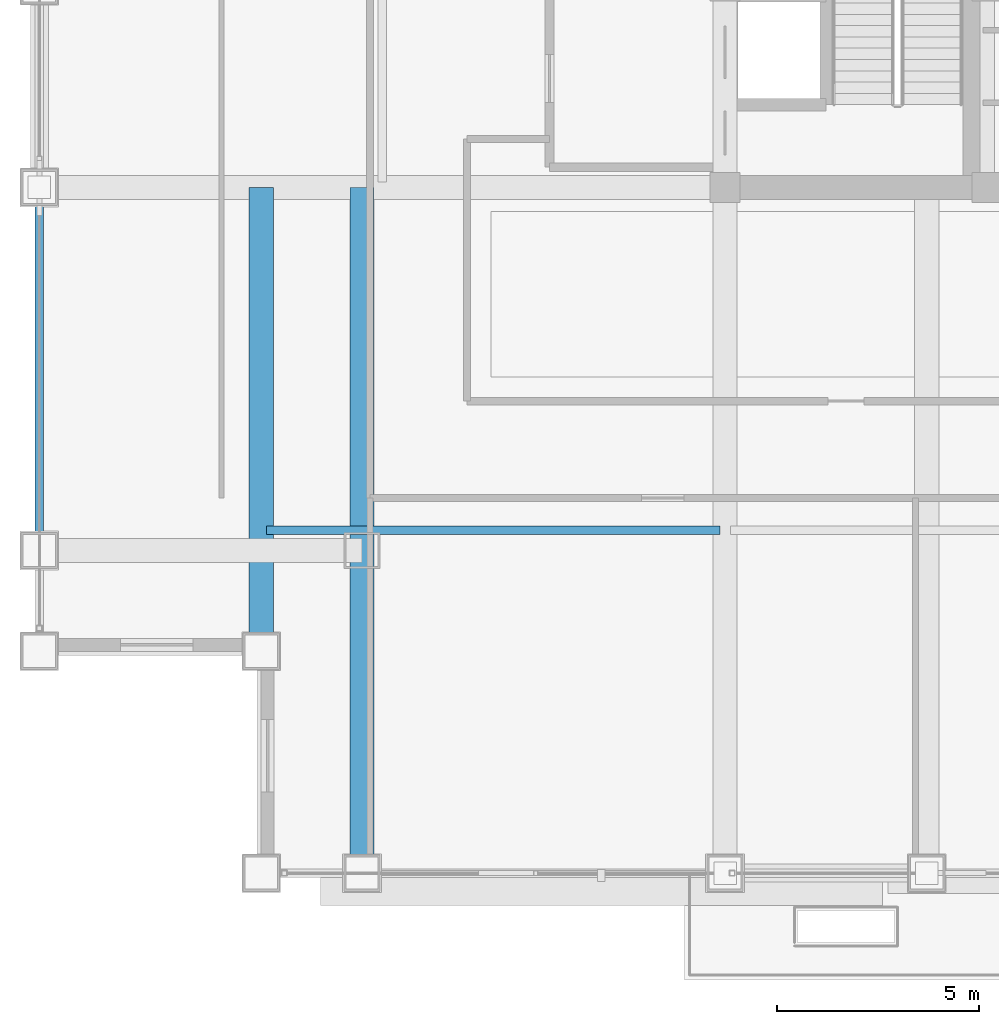
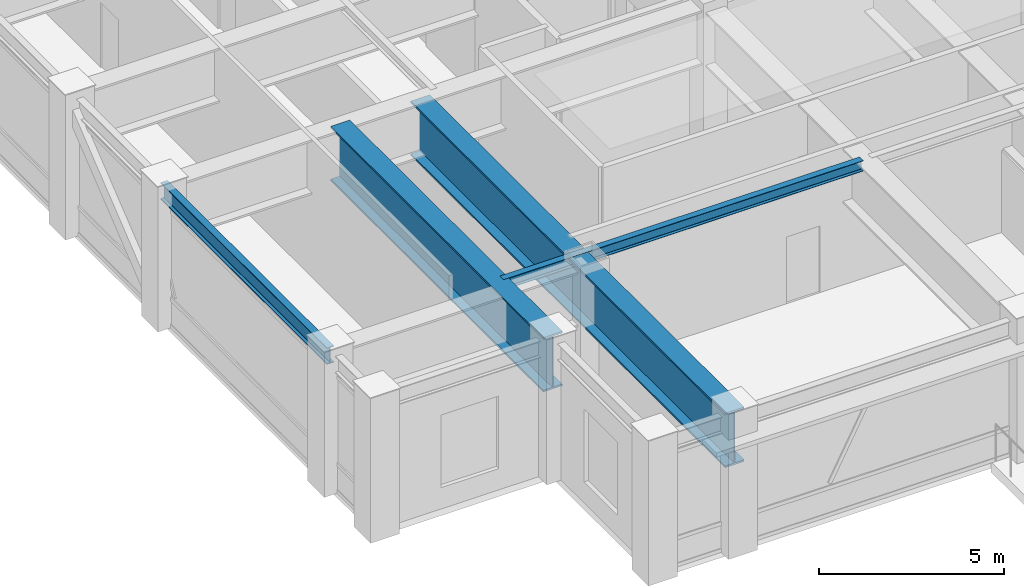
# One storey, part 3 of 31: 4 beams.
"""IFC4 building model written with IfcOpenShell, lengths in metres."""

from ifc_helpers import new_model, si_unit, direction, frame, origin, origin_2d, place, context, subcontext, project, spatial, i_section, extrude, source, transform, mapped, material, material_profile, profile_set, type_object, element, save


model = new_model("IFC4")

# Units and contexts
model_context = context("Model", 3, precision=1e-05, world=origin(), true_north=direction((0.0, 1.0)))
body_context = subcontext(model_context, "Body", "Model", "MODEL_VIEW")
ifc_project = project(units=[si_unit("LENGTHUNIT", "METRE"), si_unit("AREAUNIT", "SQUARE_METRE"), si_unit("VOLUMEUNIT", "CUBIC_METRE"), si_unit("PLANEANGLEUNIT", "RADIAN"), si_unit("MASSUNIT", "GRAM", prefix="KILO")], contexts=[model_context])

# Site, building, storey
site_placement = place(None, origin())
site = spatial("IfcSite", under=ifc_project, at=site_placement, CompositionType="ELEMENT")
building_placement = place(site_placement, origin())
building = spatial("IfcBuilding", under=site, at=building_placement, Name="Khorayat Bourse Tower", CompositionType="ELEMENT")
storey_placement = place(building_placement, frame((0.0, 0.0, 321.5)))
storey = spatial("IfcBuildingStorey", under=building, at=storey_placement, Name="L76", CompositionType="ELEMENT", Elevation=321.5)

# Beams
ifc_material_1 = material(Name="Steel EN 10025-4 S460M", Category="steel")
ifc_material_profile_1 = material_profile(ifc_material_1, i_section(OverallWidth=0.60009765625, OverallDepth=1.800048828125, WebThickness=0.031982421875, FlangeThickness=0.06005859375, at=origin_2d()), Name="PG 1800x600x32x60")
ifc_profile_set_1 = profile_set([ifc_material_profile_1], Name="Steel EN 10025-4 S460M")
beam_type_1 = type_object("IfcBeamType", Name="BM-TR-1800", PredefinedType="BEAM", material=ifc_profile_set_1)
shared_shape_1 = source(origin(), body_context, "Body", "SweptSolid", [
    extrude(i_section(OverallWidth=0.60009765625, OverallDepth=1.800048828125, WebThickness=0.031982421875, FlangeThickness=0.06005859375, at=origin_2d()), origin(), (0.0, 0.0, 1.0), 17.0),
])
beam_1_placement = place(storey_placement, frame((-20.0, -28.0, 3.60009765625), z_axis=(0.0, 1.0, 0.0), x_axis=(-1.0, 0.0, 0.0)))
element("IfcBeam", 1, at=beam_1_placement, inside=storey, type_object=beam_type_1, Name="L76 BM-TR-1800 BM-L76-CNRY-084", PredefinedType="BEAM", context=body_context, shape_type="MappedRepresentation", body=[
    mapped(shared_shape_1, transform((0.0, 0.0, 0.0), scale=1.0)),
])
ifc_material_2 = material(Name="Steel ASTM A992 Grade 50", Category="steel")
ifc_material_profile_2 = material_profile(ifc_material_2, i_section(OverallWidth=0.202880859375, OverallDepth=0.346923828125, WebThickness=0.0078125, FlangeThickness=0.013427734375, FilletRadius=0.010009765625, at=origin_2d()), Name="W360X64")
ifc_profile_set_2 = profile_set([ifc_material_profile_2], Name="Steel ASTM A992 Grade 50")
beam_type_2 = type_object("IfcBeamType", Name="BM-JOIST-360", PredefinedType="JOIST", material=ifc_profile_set_2)
shared_shape_2 = source(origin(), body_context, "Body", "SweptSolid", [
    extrude(i_section(OverallWidth=0.202880859375, OverallDepth=0.346923828125, WebThickness=0.0078125, FlangeThickness=0.013427734375, FilletRadius=0.010009765625, at=origin_2d()), origin(), (0.0, 0.0, 1.0), 11.240234375),
])
beam_2_placement = place(storey_placement, frame((-22.3701171875, -19.5, 4.366455078125), z_axis=(1.0, 0.0, 0.0), x_axis=(0.0, 1.0, 0.0)))
element("IfcBeam", 2, at=beam_2_placement, inside=storey, type_object=beam_type_2, Name="L76 BM-JOIST-360 BM-L76-JSTX-096", PredefinedType="JOIST", context=body_context, shape_type="MappedRepresentation", body=[
    mapped(shared_shape_2, transform((0.0, 0.0, 0.0), scale=1.0)),
])
ifc_material_profile_3 = material_profile(ifc_material_2, i_section(OverallWidth=0.214111328125, OverallDepth=0.549072265625, WebThickness=0.0146484375, FlangeThickness=0.023681640625, FilletRadius=0.013916015625, at=origin_2d()), Name="W530X138")
ifc_profile_set_3 = profile_set([ifc_material_profile_3], Name="Steel ASTM A992 Grade 50")
beam_type_3 = type_object("IfcBeamType", Name="BM-SPAN-530", PredefinedType="SPANDREL", material=ifc_profile_set_3)
shared_shape_3 = source(origin(), body_context, "Body", "SweptSolid", [
    extrude(i_section(OverallWidth=0.214111328125, OverallDepth=0.549072265625, WebThickness=0.0146484375, FlangeThickness=0.023681640625, FilletRadius=0.013916015625, at=origin_2d()), origin(), (0.0, 0.0, 1.0), 9.0),
])
beam_3_placement = place(storey_placement, frame((-28.0, -20.0, 4.265380859375), z_axis=(0.0, 1.0, 0.0), x_axis=(-1.0, 0.0, 0.0)))
element("IfcBeam", 3, at=beam_3_placement, inside=storey, type_object=beam_type_3, Name="L76 BM-SPAN-530 BM-L76-SPN-060", PredefinedType="SPANDREL", context=body_context, shape_type="MappedRepresentation", body=[
    mapped(shared_shape_3, transform((0.0, 0.0, 0.0), scale=1.0)),
])
shared_shape_4 = source(origin(), body_context, "Body", "SweptSolid", [
    extrude(i_section(OverallWidth=0.60009765625, OverallDepth=1.800048828125, WebThickness=0.031982421875, FlangeThickness=0.06005859375, at=origin_2d()), origin(), (0.0, 0.0, 1.0), 11.5),
])
beam_4_placement = place(storey_placement, frame((-22.5, -22.5, 3.639892578125), z_axis=(0.0, 1.0, 0.0), x_axis=(-1.0, 0.0, 0.0)))
element("IfcBeam", 4, at=beam_4_placement, inside=storey, type_object=beam_type_1, Name="L76 BM-TR-1800 BM-L76-CNRY-088", PredefinedType="BEAM", context=body_context, shape_type="MappedRepresentation", body=[
    mapped(shared_shape_4, transform((0.0, 0.0, 0.0), scale=1.0)),
])

save(model, "model.ifc")
